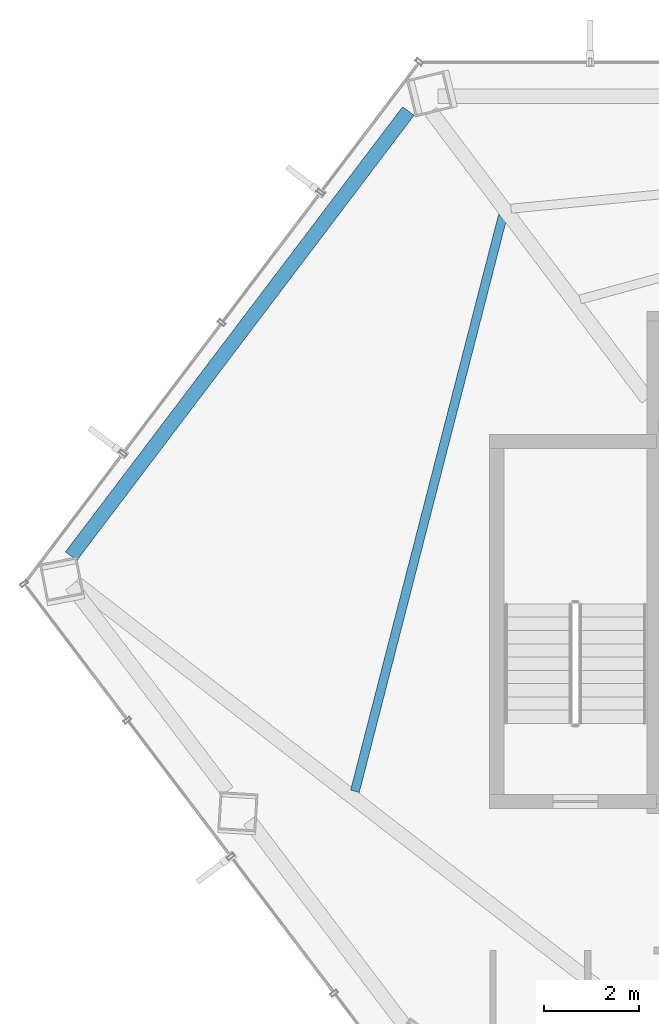
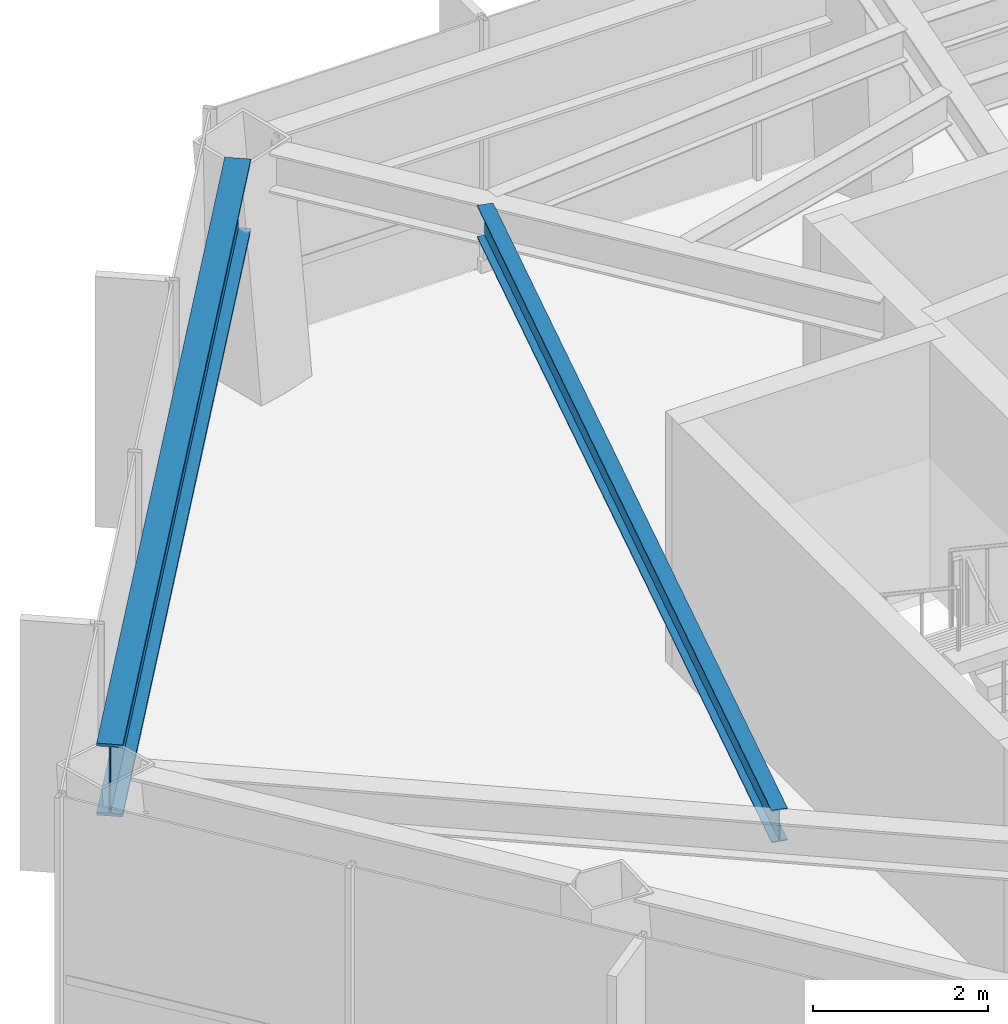
# One storey, part 12 of 30: 2 beams.
"""IFC4 building model written with IfcOpenShell, lengths in metres."""

import ifcopenshell
import ifcopenshell.guid

model = None  # the IFC model being written
_history = None  # IfcOwnerHistory: only IFC2X3 demands one
_inside = {}  # id of a spatial element -> (the spatial element, [elements in it])
_under = {}  # id of a project, library or spatial element -> (it, [spatial elements below it])
_declared = {}  # id of a project -> (the project, [libraries it declares])
_typed = {}  # id of a type object -> (the type object, [elements of that type])
_made_of = {}  # id of a material, layer set ... -> (it, [elements and type objects made of it])


def new_model(schema):
    """Start an empty IFC model of exactly this schema.

    Asked for "IFC4X3", IfcOpenShell would pick the latest addendum, in which some entities
    have other attributes; the version numbers below select the first issue.
    IFC2X3 requires an IfcOwnerHistory on every rooted entity: one is made here for all.
    """
    global model, _history
    if schema == "IFC4X3":
        model = ifcopenshell.file(schema_version=(4, 3, 0, 0))
    else:
        model = ifcopenshell.file(schema=schema)
    _inside.clear()
    _under.clear()
    _declared.clear()
    _typed.clear()
    _made_of.clear()
    _history = None
    if model.schema == "IFC2X3":
        org = make("IfcOrganization", Name="unknown")
        user = make(
            "IfcPersonAndOrganization",
            ThePerson=make("IfcPerson", FamilyName="unknown"),
            TheOrganization=org,
        )
        app = make(
            "IfcApplication",
            ApplicationDeveloper=org,
            Version="unknown",
            ApplicationFullName="unknown",
            ApplicationIdentifier="unknown",
        )
        _history = make(
            "IfcOwnerHistory",
            OwningUser=user,
            OwningApplication=app,
            ChangeAction="ADDED",
            CreationDate=0,
        )
    return model


def make(cls, **values):
    """One entity of the class cls with the attributes given. An attribute that is None is left unset."""
    return model.create_entity(
        cls, **{name: value for name, value in values.items() if value is not None}
    )


def rooted(cls, **values):
    """An entity with a GlobalId (a new one), such as an element, a storey or a relation."""
    return make(cls, GlobalId=ifcopenshell.guid.new(), OwnerHistory=_history, **values)


def si_unit(unit_type, name, prefix=None):
    """IfcSIUnit, for example si_unit("LENGTHUNIT", "METRE", prefix="MILLI")."""
    return make("IfcSIUnit", UnitType=unit_type, Prefix=prefix, Name=name)


def assignment(units):
    """IfcUnitAssignment: the units of a project."""
    return None if units is None else make("IfcUnitAssignment", Units=units)


def point(xyz):
    """IfcCartesianPoint."""
    return None if xyz is None else make("IfcCartesianPoint", Coordinates=xyz)


def direction(xyz):
    """IfcDirection."""
    return None if xyz is None else make("IfcDirection", DirectionRatios=xyz)


def frame(location, z_axis=None, x_axis=None):
    """IfcAxis2Placement3D, a coordinate frame: its origin and axes. An axis left out is left unset."""
    return make(
        "IfcAxis2Placement3D",
        Location=point(location),
        Axis=direction(z_axis),
        RefDirection=direction(x_axis),
    )


def frame_2d(location, x_axis=None):
    """IfcAxis2Placement2D, a coordinate frame in the plane: its origin and x axis."""
    return make(
        "IfcAxis2Placement2D", Location=point(location), RefDirection=direction(x_axis)
    )


def origin():
    """The frame at (0, 0, 0) with its axes left unset."""
    return frame((0.0, 0.0, 0.0))


def origin_2d():
    """The frame at (0, 0) in the plane with its x axis left unset."""
    return frame_2d((0.0, 0.0))


def place(relative_to, where):
    """IfcLocalPlacement: puts the frame where relative to a parent placement (None: the world)."""
    return make(
        "IfcLocalPlacement", PlacementRelTo=relative_to, RelativePlacement=where
    )


def context(
    kind, dimensions, precision=None, world=None, true_north=None, identifier=None
):
    """IfcGeometricRepresentationContext, for example the 3D "Model" context."""
    return make(
        "IfcGeometricRepresentationContext",
        ContextIdentifier=identifier,
        ContextType=kind,
        CoordinateSpaceDimension=dimensions,
        Precision=precision,
        WorldCoordinateSystem=world,
        TrueNorth=true_north,
    )


def subcontext(parent, identifier, kind, view, scale=None):
    """IfcGeometricRepresentationSubContext, for example "Body" below "Model"."""
    return make(
        "IfcGeometricRepresentationSubContext",
        ContextIdentifier=identifier,
        ContextType=kind,
        ParentContext=parent,
        TargetScale=scale,
        TargetView=view,
    )


def project(units=None, contexts=None):
    """IfcProject with its units and contexts."""
    return rooted(
        "IfcProject",
        Name="project",
        RepresentationContexts=contexts,
        UnitsInContext=assignment(units),
    )


def spatial(cls, under=None, at=None, **own):
    """A site, building, storey or space (cls), placed at a placement, below another one or the project."""
    s = rooted(cls, ObjectPlacement=at, **own)
    if under is not None:
        _under.setdefault(under.id(), (under, []))[1].append(s)
    return s


def profile(cls, at=None, kind="AREA", **sizes):
    """A parametric profile (cls). Its sizes go by their IFC names, for example OverallWidth=200.0."""
    return make(cls, ProfileType=kind, Position=at, **sizes)


def i_section(**sizes):
    """IfcIShapeProfileDef."""
    return profile("IfcIShapeProfileDef", **sizes)


def extrude(swept, where, along, depth):
    """IfcExtrudedAreaSolid: the profile swept, set in the frame where, extruded along a direction by depth."""
    return make(
        "IfcExtrudedAreaSolid",
        SweptArea=swept,
        Position=where,
        ExtrudedDirection=direction(along),
        Depth=depth,
    )


def shape(context_of_items, identifier, shape_type, items):
    """IfcShapeRepresentation: the items that make up one representation, for example the "Body"."""
    return make(
        "IfcShapeRepresentation",
        ContextOfItems=context_of_items,
        RepresentationIdentifier=identifier,
        RepresentationType=shape_type,
        Items=items,
    )


def material(Name=None, Category=None):
    """IfcMaterial."""
    return make("IfcMaterial", Name=Name, Category=Category)


def material_profile(
    of_material, cross_section, Name=None, Category=None, Priority=None
):
    """IfcMaterialProfile: a cross section and its material."""
    return make(
        "IfcMaterialProfile",
        Name=Name,
        Material=of_material,
        Profile=cross_section,
        Priority=Priority,
        Category=Category,
    )


def profile_set(profiles, Name=None, composite=None):
    """IfcMaterialProfileSet."""
    return make(
        "IfcMaterialProfileSet",
        Name=Name,
        MaterialProfiles=profiles,
        CompositeProfile=composite,
    )


def made_of(thing, what):
    """Note that an element or type object is made of a material, layer set ...; save() writes the relation."""
    if what is not None:
        _made_of.setdefault(what.id(), (what, []))[1].append(thing)
    return thing


def type_object(cls, material=None, **own):
    """A type object (cls), such as IfcWallType, which elements share."""
    return made_of(rooted(cls, **own), material)


def element(
    cls,
    number,
    at=None,
    inside=None,
    cuts=None,
    type_object=None,
    material=None,
    context=None,
    identifier="Body",
    shape_type=None,
    held_by="IfcProductDefinitionShape",
    body=None,
    shapes=None,
    **own,
):
    """One element of the class cls, such as IfcWall. Its Tag is "e" and its number.

    at: its placement. inside: the storey or other place that contains it. cuts: it is an
    opening in that element (IfcRelVoidsElement). A single representation is given by context,
    identifier, shape_type and body (its items); several are given by shapes. held_by: the class
    of the entity that holds the representations. save() writes the other relations.
    """
    e = rooted(cls, Tag="e%d" % number, ObjectPlacement=at, **own)
    if body is not None:
        shapes = [shape(context, identifier, shape_type, body)]
    if shapes is not None:
        e.Representation = make(held_by, Representations=shapes)
    if inside is not None:
        _inside.setdefault(inside.id(), (inside, []))[1].append(e)
    if cuts is not None:
        rooted(
            "IfcRelVoidsElement", RelatingBuildingElement=cuts, RelatedOpeningElement=e
        )
    if type_object is not None:
        _typed.setdefault(type_object.id(), (type_object, []))[1].append(e)
    return made_of(e, material)


def aggregate(whole, parts):
    """IfcRelAggregates: a whole, such as a stair, and the parts it consists of."""
    return rooted("IfcRelAggregates", RelatingObject=whole, RelatedObjects=parts)


def save(model, path):
    """Write the relations noted so far, then the file.

    IfcRelAggregates (storeys below a building ...), IfcRelContainedInSpatialStructure (elements
    in a storey), IfcRelDefinesByType, IfcRelAssociatesMaterial and IfcRelDeclares: one each for
    every whole, place, type object, material and project.
    """
    for whole, parts in _under.values():
        aggregate(whole, parts)
    for where, things in _inside.values():
        rooted(
            "IfcRelContainedInSpatialStructure",
            RelatedElements=things,
            RelatingStructure=where,
        )
    for kind, things in _typed.values():
        rooted("IfcRelDefinesByType", RelatedObjects=things, RelatingType=kind)
    for what, things in _made_of.values():
        rooted("IfcRelAssociatesMaterial", RelatedObjects=things, RelatingMaterial=what)
    for by, libraries in _declared.values():
        rooted("IfcRelDeclares", RelatingContext=by, RelatedDefinitions=libraries)
    model.write(path)


model = new_model("IFC4")

# Units and contexts
model_context = context("Model", 3, precision=1e-05, world=origin(), true_north=direction((0.0, 1.0)))
body_context = subcontext(model_context, "Body", "Model", "MODEL_VIEW")
ifc_project = project(units=[si_unit("LENGTHUNIT", "METRE"), si_unit("AREAUNIT", "SQUARE_METRE"), si_unit("VOLUMEUNIT", "CUBIC_METRE"), si_unit("PLANEANGLEUNIT", "RADIAN"), si_unit("MASSUNIT", "GRAM", prefix="KILO")], contexts=[model_context])

# Site, building, storey
site_placement = place(None, origin())
site = spatial("IfcSite", under=ifc_project, at=site_placement, CompositionType="ELEMENT")
building_placement = place(site_placement, origin())
building = spatial("IfcBuilding", under=site, at=building_placement, Name="Zarrinselat Tower", CompositionType="ELEMENT")
storey_placement = place(building_placement, frame((0.0, 0.0, 160.820068359375)))
storey = spatial("IfcBuildingStorey", under=building, at=storey_placement, Name="L39", CompositionType="ELEMENT", Elevation=160.820068359375)

# Beams
ifc_material_1 = material(Name="Steel S460M", Category="steel")
ifc_material_profile_1 = material_profile(ifc_material_1, i_section(OverallWidth=0.302001953125, OverallDepth=1.008056640625, WebThickness=0.02099609375, FlangeThickness=0.0400390625, at=origin_2d()), Name="HEM 1000")
ifc_profile_set_1 = profile_set([ifc_material_profile_1], Name="Steel S460M")
beam_type_1 = type_object("IfcBeamType", Name="BM-HEM1000", PredefinedType="BEAM", material=ifc_profile_set_1)
beam_1_placement = place(storey_placement, frame((16.24365234375, 38.48046875, 2.995849609375), z_axis=(0.603845729106, 0.797101207778, 0.0), x_axis=(-0.797101207778, 0.603845729106, 0.0)))
element("IfcBeam", 1, at=beam_1_placement, inside=storey, type_object=beam_type_1, Name="L39 Perimeter Spandrel Girder SP05", PredefinedType="BEAM", context=body_context, shape_type="SweptSolid", body=[
    extrude(i_section(OverallWidth=0.302001953125, OverallDepth=1.008056640625, WebThickness=0.02099609375, FlangeThickness=0.0400390625, at=origin_2d()), origin(), (0.0, 0.0, 1.0), 11.791748046875),
])
ifc_material_2 = material(Name="Steel S355J2", Category="steel")
ifc_material_profile_2 = material_profile(ifc_material_2, i_section(OverallWidth=0.18994140625, OverallDepth=0.449951171875, WebThickness=0.009521484375, FlangeThickness=0.0146484375, at=origin_2d()), Name="IPE 450")
ifc_profile_set_2 = profile_set([ifc_material_profile_2], Name="Steel S355J2")
beam_type_2 = type_object("IfcBeamType", Name="BM-IPE450", PredefinedType="JOIST", material=ifc_profile_set_2)
beam_2_placement = place(storey_placement, frame((22.235595703125, 33.51416015625, 3.27490234375), z_axis=(0.248888283416, 0.96853219997, 0.0), x_axis=(-0.96853219997, 0.248888283416, 0.0)))
element("IfcBeam", 2, at=beam_2_placement, inside=storey, type_object=beam_type_2, Name="L39 Composite Floor Joist 10-1", PredefinedType="JOIST", context=body_context, shape_type="SweptSolid", body=[
    extrude(i_section(OverallWidth=0.18994140625, OverallDepth=0.449951171875, WebThickness=0.009521484375, FlangeThickness=0.0146484375, at=origin_2d()), origin(), (0.0, 0.0, 1.0), 12.550048828125),
])

save(model, "model.ifc")
